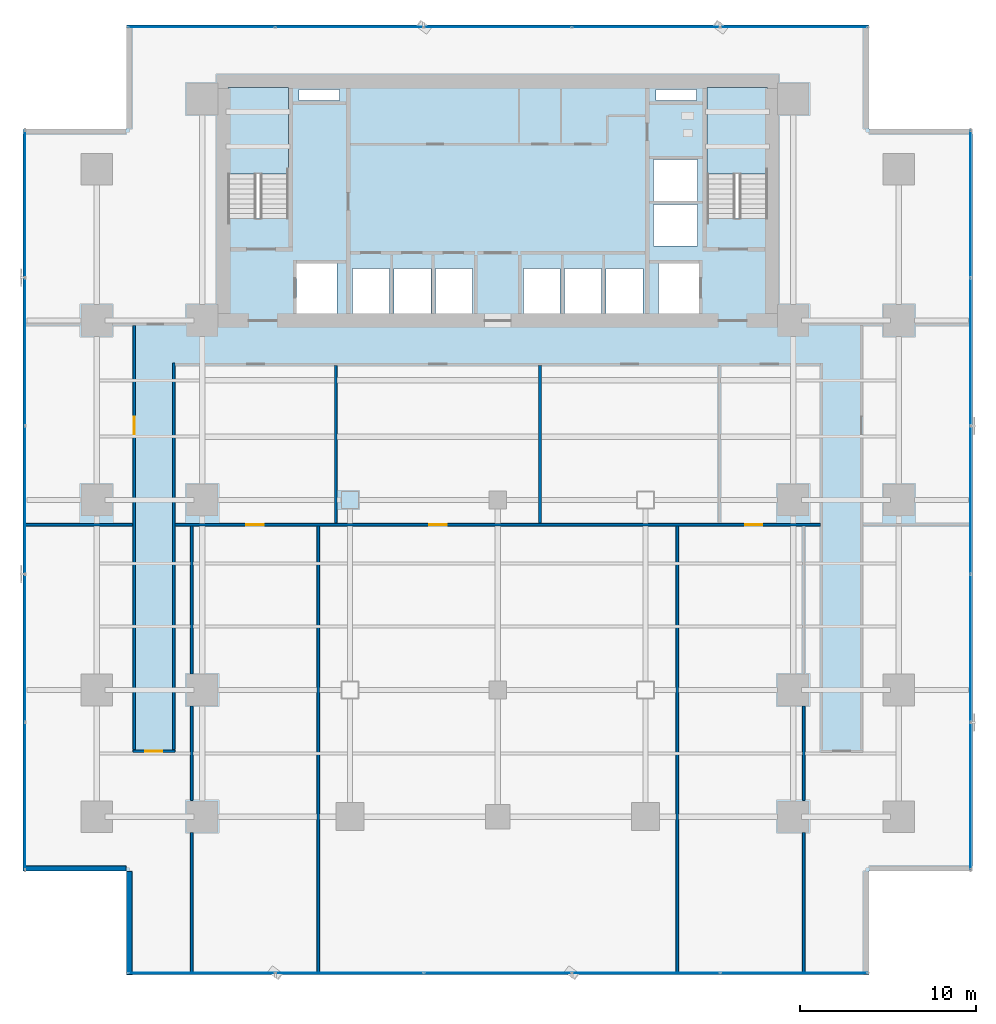
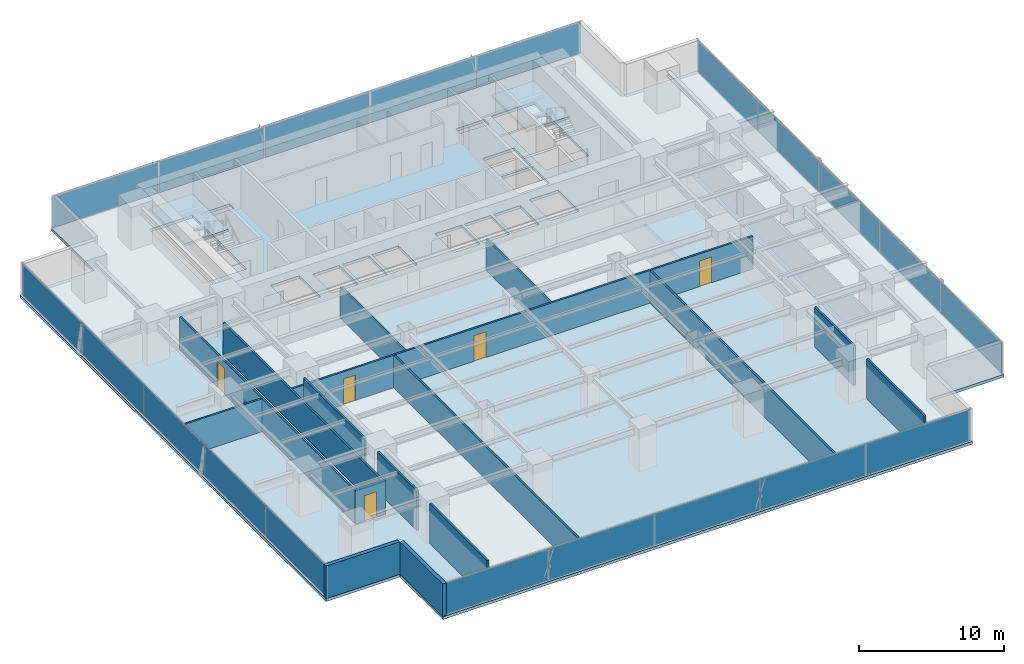
# One storey, part 23 of 32: 20 plates, 16 walls, 5 doors, 3 slabs, 5 openings, 6 elements without a shape of their own.
"""IFC4 building model written with IfcOpenShell, lengths in metres."""

from ifc_helpers import new_model, si_unit, direction, frame, frame_2d, origin, origin_2d, place, context, subcontext, project, spatial, polyline, rectangle, outline, extrude, source, transform, mapped, material, layer, layer_set, type_object, element, fill, aggregate, save


model = new_model("IFC4")

# Units and contexts
model_context = context("Model", 3, precision=1e-05, world=origin(), true_north=direction((0.0, 1.0)))
body_context = subcontext(model_context, "Body", "Model", "MODEL_VIEW")
ifc_project = project(units=[si_unit("LENGTHUNIT", "METRE"), si_unit("AREAUNIT", "SQUARE_METRE"), si_unit("VOLUMEUNIT", "CUBIC_METRE"), si_unit("PLANEANGLEUNIT", "RADIAN"), si_unit("MASSUNIT", "GRAM", prefix="KILO")], contexts=[model_context])

# Site, building, storey
site_placement = place(None, origin())
site = spatial("IfcSite", under=ifc_project, at=site_placement, CompositionType="ELEMENT")
building_placement = place(site_placement, origin())
building = spatial("IfcBuilding", under=site, at=building_placement, Name="Sumidabori Civic Tower", CompositionType="ELEMENT")
storey_placement = place(building_placement, frame((0.0, 0.0, 52.39990234375)))
storey = spatial("IfcBuildingStorey", under=building, at=storey_placement, Name="L13", CompositionType="ELEMENT", Elevation=52.39990234375)

# Stair, slab
ifc_material_1 = material(Name="Concrete C40/50", Category="concrete")
stair_type = type_object("IfcStairType", Name="ST-CORE-1600", PredefinedType="HALF_TURN_STAIR", material=ifc_material_1)
stair_1_placement = place(storey_placement, origin())
stair_1 = element("IfcStair", 1, at=stair_1_placement, inside=storey, type_object=stair_type, Name="L13 ST-1", PredefinedType="HALF_TURN_STAIR")
ifc_layer_1 = layer(ifc_material_1, 0.199951171875, Name="Concrete C40/50")
ifc_layer_set_1 = layer_set([ifc_layer_1], Name="Concrete C40/50")
slab_type_1 = type_object("IfcSlabType", Name="SL-LAND-200", PredefinedType="LANDING", material=ifc_layer_set_1)
slab_1_placement = place(storey_placement, frame((0.0, 0.0, 1.60009765625)))
slab_1 = element("IfcSlab", 2, at=slab_1_placement, type_object=slab_type_1, Name="ST-1 landing 1", PredefinedType="LANDING", context=body_context, shape_type="SweptSolid", body=[
    extrude(outline(polyline([(-11.89990234375, 18.52001953125), (-11.89990234375, 23.449951171875), (-15.340087890625, 23.449951171875), (-15.340087890625, 18.52001953125), (-11.89990234375, 18.52001953125)])), origin(), (0.0, 0.0, 1.0), 0.199951171875),
])
aggregate(stair_1, [slab_1])

stair_2_placement = place(storey_placement, origin())
stair_2 = element("IfcStair", 3, at=stair_2_placement, inside=storey, type_object=stair_type, Name="L13 ST-2", PredefinedType="HALF_TURN_STAIR")
slab_2_placement = place(storey_placement, frame((0.0, 0.0, 1.60009765625)))
slab_2 = element("IfcSlab", 4, at=slab_2_placement, type_object=slab_type_1, Name="ST-2 landing 1", PredefinedType="LANDING", context=body_context, shape_type="SweptSolid", body=[
    extrude(outline(polyline([(15.340087890625, 18.52001953125), (15.340087890625, 23.449951171875), (11.89990234375, 23.449951171875), (11.89990234375, 18.52001953125), (15.340087890625, 18.52001953125)])), origin(), (0.0, 0.0, 1.0), 0.199951171875),
])
aggregate(stair_2, [slab_2])

# Slab
ifc_layer_2 = layer(ifc_material_1, 0.239990234375, Name="Concrete C40/50")
ifc_layer_set_2 = layer_set([ifc_layer_2], Name="Concrete C40/50")
slab_type_2 = type_object("IfcSlabType", Name="SL-Z1-240", PredefinedType="FLOOR", material=ifc_layer_set_2)
slab_3_placement = place(storey_placement, frame((0.0, 0.0, -0.239990234375)))
element("IfcSlab", 5, at=slab_3_placement, inside=storey, type_object=slab_type_2, Name="Structural Slab L13", PredefinedType="FLOOR", context=body_context, shape_type="SweptSolid", body=[
    extrude(outline(polyline([(-21.10009765625, -27.0), (21.10009765625, -27.0), (21.10009765625, -21.10009765625), (27.0, -21.10009765625), (27.0, 21.10009765625), (21.10009765625, 21.10009765625), (21.10009765625, 27.0), (-21.10009765625, 27.0), (-21.10009765625, 21.10009765625), (-27.0, 21.10009765625), (-27.0, -21.10009765625), (-21.10009765625, -21.10009765625), (-21.10009765625, -27.0)]), holes=[polyline([(-11.89990234375, 16.0), (-11.89990234375, 23.449951171875), (-15.340087890625, 23.449951171875), (-15.340087890625, 16.0), (-11.89990234375, 16.0)]), polyline([(15.340087890625, 16.0), (15.340087890625, 23.449951171875), (11.89990234375, 23.449951171875), (11.89990234375, 16.0), (15.340087890625, 16.0)]), polyline([(-11.449951171875, 10.550048828125), (-9.14990234375, 10.550048828125), (-9.14990234375, 13.449951171875), (-11.449951171875, 13.449951171875), (-11.449951171875, 10.550048828125)]), polyline([(9.14990234375, 10.550048828125), (11.449951171875, 10.550048828125), (11.449951171875, 13.449951171875), (9.14990234375, 13.449951171875), (9.14990234375, 10.550048828125)]), polyline([(-8.25, 10.550048828125), (-6.14990234375, 10.550048828125), (-6.14990234375, 13.14990234375), (-8.25, 13.14990234375), (-8.25, 10.550048828125)]), polyline([(-5.89990234375, 10.550048828125), (-3.800048828125, 10.550048828125), (-3.800048828125, 13.14990234375), (-5.89990234375, 13.14990234375), (-5.89990234375, 10.550048828125)]), polyline([(-3.550048828125, 10.550048828125), (-1.449951171875, 10.550048828125), (-1.449951171875, 13.14990234375), (-3.550048828125, 13.14990234375), (-3.550048828125, 10.550048828125)]), polyline([(1.449951171875, 10.550048828125), (3.550048828125, 10.550048828125), (3.550048828125, 13.14990234375), (1.449951171875, 13.14990234375), (1.449951171875, 10.550048828125)]), polyline([(3.800048828125, 10.550048828125), (5.89990234375, 10.550048828125), (5.89990234375, 13.14990234375), (3.800048828125, 13.14990234375), (3.800048828125, 10.550048828125)]), polyline([(6.14990234375, 10.550048828125), (8.25, 10.550048828125), (8.25, 13.14990234375), (6.14990234375, 13.14990234375), (6.14990234375, 10.550048828125)]), polyline([(8.85009765625, 14.449951171875), (11.35009765625, 14.449951171875), (11.35009765625, 16.800048828125), (8.85009765625, 16.800048828125), (8.85009765625, 14.449951171875)]), polyline([(8.85009765625, 17.0), (11.35009765625, 17.0), (11.35009765625, 19.35009765625), (8.85009765625, 19.35009765625), (8.85009765625, 17.0)]), polyline([(-11.300048828125, 22.719970703125), (-9.0, 22.719970703125), (-9.0, 23.35009765625), (-11.300048828125, 23.35009765625), (-11.300048828125, 22.719970703125)]), polyline([(9.0, 22.719970703125), (11.300048828125, 22.719970703125), (11.300048828125, 23.35009765625), (9.0, 23.35009765625), (9.0, 22.719970703125)])]), origin(), (0.0, 0.0, 1.0), 0.239990234375),
])

# Curtain wall, plates
ifc_material_2 = material(Name="Anodised Bronze Aluminium AW-6063-T6", Category="aluminium")
ifc_layer_3 = layer(ifc_material_2, 0.179931640625, Name="Anodised Bronze Aluminium AW-6063-T6")
ifc_layer_set_3 = layer_set([ifc_layer_3], Name="Anodised Bronze Aluminium AW-6063-T6")
curtain_wall_type = type_object("IfcCurtainWallType", Name="CW-SYS-2", PredefinedType="NOTDEFINED", material=ifc_layer_set_3)
curtain_wall_1_placement = place(storey_placement, origin())
curtain_wall_1 = element("IfcCurtainWall", 6, at=curtain_wall_1_placement, inside=storey, type_object=curtain_wall_type, Name="Curtain Wall CW:L13:R01", PredefinedType="NOTDEFINED")
ifc_material_3 = material(Name="Low-E Solar-Control Vision Glazing", Category="glass")
ifc_layer_4 = layer(ifc_material_3, 0.028076171875, Name="Low-E Solar-Control Vision Glazing")
ifc_layer_set_4 = layer_set([ifc_layer_4], Name="Low-E Solar-Control Vision Glazing")
plate_type = type_object("IfcPlateType", Name="CW-PNL-28", PredefinedType="CURTAIN_PANEL", material=ifc_layer_set_4)
shared_shape_1 = source(origin(), body_context, "Body", "SweptSolid", [
    extrude(rectangle(XDim=8.322998046875, YDim=0.028076171875, at=origin_2d()), origin(), (0.0, 0.0, 1.0), 2.610107421875),
])
plate_1_placement = place(storey_placement, frame((-16.83837890625, -26.8798828125, 0.06494140625), z_axis=(0.0, 0.0, 1.0), x_axis=(1.0, 0.0, 0.0)))
plate_1 = element("IfcPlate", 7, at=plate_1_placement, type_object=plate_type, Name="CW-2 panel 1.1", PredefinedType="CURTAIN_PANEL", context=body_context, shape_type="MappedRepresentation", body=[
    mapped(shared_shape_1, transform((0.0, 0.0, 0.0), x_axis=(1.0, 0.0, 0.0), y_axis=(0.0, 1.0, 0.0), z_axis=(0.0, 0.0, 1.0), scale=1.0)),
])
plate_2_placement = place(storey_placement, frame((16.83837890625, -26.8798828125, 0.06494140625), z_axis=(0.0, 0.0, 1.0), x_axis=(1.0, 0.0, 0.0)))
plate_2 = element("IfcPlate", 8, at=plate_2_placement, type_object=plate_type, Name="CW-2 panel 5.1", PredefinedType="CURTAIN_PANEL", context=body_context, shape_type="MappedRepresentation", body=[
    mapped(shared_shape_1, transform((0.0, 0.0, 0.0), x_axis=(1.0, 0.0, 0.0), y_axis=(0.0, 1.0, 0.0), z_axis=(0.0, 0.0, 1.0), scale=1.0)),
])

curtain_wall_2_placement = place(storey_placement, origin())
curtain_wall_2 = element("IfcCurtainWall", 9, at=curtain_wall_2_placement, inside=storey, type_object=curtain_wall_type, Name="Curtain Wall CW:L13:R04", PredefinedType="NOTDEFINED")
plate_3_placement = place(storey_placement, frame((26.8798828125, -16.83837890625, 0.06494140625), z_axis=(0.0, 0.0, 1.0), x_axis=(0.0, 1.0, 0.0)))
plate_3 = element("IfcPlate", 10, at=plate_3_placement, type_object=plate_type, Name="CW-2 panel 1.1", PredefinedType="CURTAIN_PANEL", context=body_context, shape_type="MappedRepresentation", body=[
    mapped(shared_shape_1, transform((0.0, 0.0, 0.0), x_axis=(1.0, 0.0, 0.0), y_axis=(0.0, 1.0, 0.0), z_axis=(0.0, 0.0, 1.0), scale=1.0)),
])
plate_4_placement = place(storey_placement, frame((26.8798828125, 16.83837890625, 0.06494140625), z_axis=(0.0, 0.0, 1.0), x_axis=(0.0, 1.0, 0.0)))
plate_4 = element("IfcPlate", 11, at=plate_4_placement, type_object=plate_type, Name="CW-2 panel 5.1", PredefinedType="CURTAIN_PANEL", context=body_context, shape_type="MappedRepresentation", body=[
    mapped(shared_shape_1, transform((0.0, 0.0, 0.0), x_axis=(1.0, 0.0, 0.0), y_axis=(0.0, 1.0, 0.0), z_axis=(0.0, 0.0, 1.0), scale=1.0)),
])

curtain_wall_3_placement = place(storey_placement, origin())
curtain_wall_3 = element("IfcCurtainWall", 12, at=curtain_wall_3_placement, inside=storey, type_object=curtain_wall_type, Name="Curtain Wall CW:L13:R07", PredefinedType="NOTDEFINED")
plate_5_placement = place(storey_placement, frame((16.83837890625, 26.8798828125, 0.06494140625), z_axis=(0.0, 0.0, 1.0), x_axis=(-1.0, 0.0, 0.0)))
plate_5 = element("IfcPlate", 13, at=plate_5_placement, type_object=plate_type, Name="CW-2 panel 1.1", PredefinedType="CURTAIN_PANEL", context=body_context, shape_type="MappedRepresentation", body=[
    mapped(shared_shape_1, transform((0.0, 0.0, 0.0), x_axis=(1.0, 0.0, 0.0), y_axis=(0.0, 1.0, 0.0), z_axis=(0.0, 0.0, 1.0), scale=1.0)),
])
plate_6_placement = place(storey_placement, frame((-16.83837890625, 26.8798828125, 0.06494140625), z_axis=(0.0, 0.0, 1.0), x_axis=(-1.0, 0.0, 0.0)))
plate_6 = element("IfcPlate", 14, at=plate_6_placement, type_object=plate_type, Name="CW-2 panel 5.1", PredefinedType="CURTAIN_PANEL", context=body_context, shape_type="MappedRepresentation", body=[
    mapped(shared_shape_1, transform((0.0, 0.0, 0.0), x_axis=(1.0, 0.0, 0.0), y_axis=(0.0, 1.0, 0.0), z_axis=(0.0, 0.0, 1.0), scale=1.0)),
])

curtain_wall_4_placement = place(storey_placement, origin())
curtain_wall_4 = element("IfcCurtainWall", 15, at=curtain_wall_4_placement, inside=storey, type_object=curtain_wall_type, Name="Curtain Wall CW:L13:R10", PredefinedType="NOTDEFINED")
plate_7_placement = place(storey_placement, frame((-26.8798828125, 16.83837890625, 0.06494140625), z_axis=(0.0, 0.0, 1.0), x_axis=(0.0, -1.0, 0.0)))
plate_7 = element("IfcPlate", 16, at=plate_7_placement, type_object=plate_type, Name="CW-2 panel 1.1", PredefinedType="CURTAIN_PANEL", context=body_context, shape_type="MappedRepresentation", body=[
    mapped(shared_shape_1, transform((0.0, 0.0, 0.0), x_axis=(1.0, 0.0, 0.0), y_axis=(0.0, 1.0, 0.0), z_axis=(0.0, 0.0, 1.0), scale=1.0)),
])
plate_8_placement = place(storey_placement, frame((-26.8798828125, -16.83837890625, 0.06494140625), z_axis=(0.0, 0.0, 1.0), x_axis=(0.0, -1.0, 0.0)))
plate_8 = element("IfcPlate", 17, at=plate_8_placement, type_object=plate_type, Name="CW-2 panel 5.1", PredefinedType="CURTAIN_PANEL", context=body_context, shape_type="MappedRepresentation", body=[
    mapped(shared_shape_1, transform((0.0, 0.0, 0.0), x_axis=(1.0, 0.0, 0.0), y_axis=(0.0, 1.0, 0.0), z_axis=(0.0, 0.0, 1.0), scale=1.0)),
])

# Plate
shared_shape_2 = source(origin(), body_context, "Body", "SweptSolid", [
    extrude(rectangle(XDim=8.35791015625, YDim=0.028076171875, at=origin_2d()), origin(), (0.0, 0.0, 1.0), 2.610107421875),
])
plate_9_placement = place(storey_placement, frame((-8.427978515625, -26.8798828125, 0.06494140625), z_axis=(0.0, 0.0, 1.0), x_axis=(1.0, 0.0, 0.0)))
plate_9 = element("IfcPlate", 18, at=plate_9_placement, type_object=plate_type, Name="CW-2 panel 2.1", PredefinedType="CURTAIN_PANEL", context=body_context, shape_type="MappedRepresentation", body=[
    mapped(shared_shape_2, transform((0.0, 0.0, 0.0), x_axis=(1.0, 0.0, 0.0), y_axis=(0.0, 1.0, 0.0), z_axis=(0.0, 0.0, 1.0), scale=1.0)),
])

plate_10_placement = place(storey_placement, frame((0.0, -26.8798828125, 0.06494140625), z_axis=(0.0, 0.0, 1.0), x_axis=(1.0, 0.0, 0.0)))
plate_10 = element("IfcPlate", 19, at=plate_10_placement, type_object=plate_type, Name="CW-2 panel 3.1", PredefinedType="CURTAIN_PANEL", context=body_context, shape_type="MappedRepresentation", body=[
    mapped(shared_shape_2, transform((0.0, 0.0, 0.0), x_axis=(1.0, 0.0, 0.0), y_axis=(0.0, 1.0, 0.0), z_axis=(0.0, 0.0, 1.0), scale=1.0)),
])

plate_11_placement = place(storey_placement, frame((8.427978515625, -26.8798828125, 0.06494140625), z_axis=(0.0, 0.0, 1.0), x_axis=(1.0, 0.0, 0.0)))
plate_11 = element("IfcPlate", 20, at=plate_11_placement, type_object=plate_type, Name="CW-2 panel 4.1", PredefinedType="CURTAIN_PANEL", context=body_context, shape_type="MappedRepresentation", body=[
    mapped(shared_shape_2, transform((0.0, 0.0, 0.0), x_axis=(1.0, 0.0, 0.0), y_axis=(0.0, 1.0, 0.0), z_axis=(0.0, 0.0, 1.0), scale=1.0)),
])

aggregate(curtain_wall_1, [plate_1, plate_9, plate_10, plate_11, plate_2])

plate_12_placement = place(storey_placement, frame((26.8798828125, -8.427978515625, 0.06494140625), z_axis=(0.0, 0.0, 1.0), x_axis=(0.0, 1.0, 0.0)))
plate_12 = element("IfcPlate", 21, at=plate_12_placement, type_object=plate_type, Name="CW-2 panel 2.1", PredefinedType="CURTAIN_PANEL", context=body_context, shape_type="MappedRepresentation", body=[
    mapped(shared_shape_2, transform((0.0, 0.0, 0.0), x_axis=(1.0, 0.0, 0.0), y_axis=(0.0, 1.0, 0.0), z_axis=(0.0, 0.0, 1.0), scale=1.0)),
])

plate_13_placement = place(storey_placement, frame((26.8798828125, 0.0, 0.06494140625), z_axis=(0.0, 0.0, 1.0), x_axis=(0.0, 1.0, 0.0)))
plate_13 = element("IfcPlate", 22, at=plate_13_placement, type_object=plate_type, Name="CW-2 panel 3.1", PredefinedType="CURTAIN_PANEL", context=body_context, shape_type="MappedRepresentation", body=[
    mapped(shared_shape_2, transform((0.0, 0.0, 0.0), x_axis=(1.0, 0.0, 0.0), y_axis=(0.0, 1.0, 0.0), z_axis=(0.0, 0.0, 1.0), scale=1.0)),
])

plate_14_placement = place(storey_placement, frame((26.8798828125, 8.427978515625, 0.06494140625), z_axis=(0.0, 0.0, 1.0), x_axis=(0.0, 1.0, 0.0)))
plate_14 = element("IfcPlate", 23, at=plate_14_placement, type_object=plate_type, Name="CW-2 panel 4.1", PredefinedType="CURTAIN_PANEL", context=body_context, shape_type="MappedRepresentation", body=[
    mapped(shared_shape_2, transform((0.0, 0.0, 0.0), x_axis=(1.0, 0.0, 0.0), y_axis=(0.0, 1.0, 0.0), z_axis=(0.0, 0.0, 1.0), scale=1.0)),
])

aggregate(curtain_wall_2, [plate_3, plate_12, plate_13, plate_14, plate_4])

plate_15_placement = place(storey_placement, frame((8.427978515625, 26.8798828125, 0.06494140625), z_axis=(0.0, 0.0, 1.0), x_axis=(-1.0, 0.0, 0.0)))
plate_15 = element("IfcPlate", 24, at=plate_15_placement, type_object=plate_type, Name="CW-2 panel 2.1", PredefinedType="CURTAIN_PANEL", context=body_context, shape_type="MappedRepresentation", body=[
    mapped(shared_shape_2, transform((0.0, 0.0, 0.0), x_axis=(1.0, 0.0, 0.0), y_axis=(0.0, 1.0, 0.0), z_axis=(0.0, 0.0, 1.0), scale=1.0)),
])

plate_16_placement = place(storey_placement, frame((0.0, 26.8798828125, 0.06494140625), z_axis=(0.0, 0.0, 1.0), x_axis=(-1.0, 0.0, 0.0)))
plate_16 = element("IfcPlate", 25, at=plate_16_placement, type_object=plate_type, Name="CW-2 panel 3.1", PredefinedType="CURTAIN_PANEL", context=body_context, shape_type="MappedRepresentation", body=[
    mapped(shared_shape_2, transform((0.0, 0.0, 0.0), x_axis=(1.0, 0.0, 0.0), y_axis=(0.0, 1.0, 0.0), z_axis=(0.0, 0.0, 1.0), scale=1.0)),
])

plate_17_placement = place(storey_placement, frame((-8.427978515625, 26.8798828125, 0.06494140625), z_axis=(0.0, 0.0, 1.0), x_axis=(-1.0, 0.0, 0.0)))
plate_17 = element("IfcPlate", 26, at=plate_17_placement, type_object=plate_type, Name="CW-2 panel 4.1", PredefinedType="CURTAIN_PANEL", context=body_context, shape_type="MappedRepresentation", body=[
    mapped(shared_shape_2, transform((0.0, 0.0, 0.0), x_axis=(1.0, 0.0, 0.0), y_axis=(0.0, 1.0, 0.0), z_axis=(0.0, 0.0, 1.0), scale=1.0)),
])

aggregate(curtain_wall_3, [plate_5, plate_15, plate_16, plate_17, plate_6])

plate_18_placement = place(storey_placement, frame((-26.8798828125, 8.427978515625, 0.06494140625), z_axis=(0.0, 0.0, 1.0), x_axis=(0.0, -1.0, 0.0)))
plate_18 = element("IfcPlate", 27, at=plate_18_placement, type_object=plate_type, Name="CW-2 panel 2.1", PredefinedType="CURTAIN_PANEL", context=body_context, shape_type="MappedRepresentation", body=[
    mapped(shared_shape_2, transform((0.0, 0.0, 0.0), x_axis=(1.0, 0.0, 0.0), y_axis=(0.0, 1.0, 0.0), z_axis=(0.0, 0.0, 1.0), scale=1.0)),
])

plate_19_placement = place(storey_placement, frame((-26.8798828125, 0.0, 0.06494140625), z_axis=(0.0, 0.0, 1.0), x_axis=(0.0, -1.0, 0.0)))
plate_19 = element("IfcPlate", 28, at=plate_19_placement, type_object=plate_type, Name="CW-2 panel 3.1", PredefinedType="CURTAIN_PANEL", context=body_context, shape_type="MappedRepresentation", body=[
    mapped(shared_shape_2, transform((0.0, 0.0, 0.0), x_axis=(1.0, 0.0, 0.0), y_axis=(0.0, 1.0, 0.0), z_axis=(0.0, 0.0, 1.0), scale=1.0)),
])

plate_20_placement = place(storey_placement, frame((-26.8798828125, -8.427978515625, 0.06494140625), z_axis=(0.0, 0.0, 1.0), x_axis=(0.0, -1.0, 0.0)))
plate_20 = element("IfcPlate", 29, at=plate_20_placement, type_object=plate_type, Name="CW-2 panel 4.1", PredefinedType="CURTAIN_PANEL", context=body_context, shape_type="MappedRepresentation", body=[
    mapped(shared_shape_2, transform((0.0, 0.0, 0.0), x_axis=(1.0, 0.0, 0.0), y_axis=(0.0, 1.0, 0.0), z_axis=(0.0, 0.0, 1.0), scale=1.0)),
])

aggregate(curtain_wall_4, [plate_7, plate_18, plate_19, plate_20, plate_8])

# Walls
ifc_material_4 = material(Name="Precast concrete C40/50", Category="concrete")
ifc_layer_5 = layer(ifc_material_4, 0.300048828125, Name="Precast concrete C40/50")
ifc_layer_set_5 = layer_set([ifc_layer_5], Name="Precast concrete C40/50")
wall_type_1 = type_object("IfcWallType", Name="WL-EXT-POD300", PredefinedType="STANDARD", material=ifc_layer_set_5)
shared_shape_3 = source(origin(), body_context, "Body", "SweptSolid", [
    extrude(rectangle(XDim=5.85986328125, YDim=0.300048828125, at=frame_2d((2.929931640625, 0.0))), origin(), (0.0, 0.0, 1.0), 2.739990234375),
])
for number, where, z_axis, x_axis, name in (
    (30, (-26.97998046875, -20.949951171875, 0.0), (0.0, 0.0, 1.0), (1.0, 0.0, 0.0), "Notched Corner Spandrel Band L13-11"),
    (31, (-20.949951171875, -21.1201171875, 0.0), (0.0, 0.0, 1.0), (0.0, -1.0, 0.0), "Notched Corner Spandrel Band L13-12"),
):
    element("IfcWall", number, at=place(storey_placement, frame(where, z_axis=z_axis, x_axis=x_axis)), inside=storey, type_object=wall_type_1, Name=name, PredefinedType="STANDARD", context=body_context, shape_type="MappedRepresentation", body=[
        mapped(shared_shape_3, transform((0.0, 0.0, 0.0), x_axis=(1.0, 0.0, 0.0), y_axis=(0.0, 1.0, 0.0), z_axis=(0.0, 0.0, 1.0), scale=1.0)),
    ])

# Wall, opening, door
ifc_material_5 = material(Name="Gypsum Plasterboard Acoustic Partition")
ifc_layer_6 = layer(ifc_material_5, 0.14990234375, Name="Gypsum Plasterboard Acoustic Partition")
ifc_layer_set_6 = layer_set([ifc_layer_6], Name="Gypsum Plasterboard Acoustic Partition")
wall_type_2 = type_object("IfcWallType", Name="WL-PART-150", PredefinedType="PARTITIONING", material=ifc_layer_set_6)
shared_shape_4 = source(origin(), body_context, "Body", "SweptSolid", [
    extrude(rectangle(XDim=24.114990234375, YDim=0.14990234375, at=frame_2d((12.0576171875, 0.0))), origin(), (0.0, 0.0, 1.0), 2.7451171875),
])
wall_1_placement = place(storey_placement, frame((-20.675048828125, -14.195068359375, 0.0), z_axis=(0.0, 0.0, 1.0), x_axis=(0.0, 1.0, 0.0)))
wall_1 = element("IfcWall", 32, at=wall_1_placement, inside=storey, type_object=wall_type_2, Name="Interior Partition WL:L13:CORR-VW-OUT", PredefinedType="PARTITIONING", context=body_context, shape_type="MappedRepresentation", body=[
    mapped(shared_shape_4, transform((0.0, 0.0, 0.0), x_axis=(1.0, 0.0, 0.0), y_axis=(0.0, 1.0, 0.0), z_axis=(0.0, 0.0, 1.0), scale=1.0)),
])
opening_1_placement = place(wall_1_placement, frame((17.9423828125, 0.0, 0.0)))
opening_1 = element("IfcOpeningElement", 33, at=opening_1_placement, cuts=wall_1, Name="Opening DR-3", PredefinedType="OPENING", context=body_context, shape_type="SweptSolid", body=[
    extrude(rectangle(XDim=0.97998046875, YDim=2.14990234375, at=frame_2d((0.489990234375, 1.074951171875))), frame((0.0, 0.0869140625, 0.0), z_axis=(0.0, -1.0, 0.0), x_axis=(1.0, 0.0, 0.0)), (0.0, 0.0, 1.0), 0.173828125),
])
ifc_material_6 = material(Name="Japanese Hinoki Timber", Category="wood")
door_type = type_object("IfcDoorType", Name="DR-INT-980", OperationType="NOTDEFINED", PredefinedType="DOOR", material=ifc_material_6)
shared_shape_5 = source(origin(), body_context, "Body", "SweptSolid", [
    extrude(rectangle(XDim=0.97998046875, YDim=2.14990234375, at=frame_2d((0.489990234375, 1.074951171875))), frame((0.0, 0.02490234375, 0.0), z_axis=(0.0, -1.0, 0.0), x_axis=(1.0, 0.0, 0.0)), (0.0, 0.0, 1.0), 0.050048828125),
])
door_1_placement = place(opening_1_placement, origin())
door_1 = element("IfcDoor", 34, at=door_1_placement, inside=storey, type_object=door_type, Name="Door DR:L13:D02", OperationType="SINGLE_SWING_RIGHT", OverallHeight=2.14990234375, OverallWidth=0.97998046875, PredefinedType="DOOR", context=body_context, shape_type="MappedRepresentation", body=[
    mapped(shared_shape_5, transform((0.0, 0.0, 0.0), x_axis=(1.0, 0.0, 0.0), y_axis=(0.0, 1.0, 0.0), z_axis=(0.0, 0.0, 1.0), scale=1.0)),
])
fill(opening_1, door_1)

# Walls
shared_shape_6 = source(origin(), body_context, "Body", "SweptSolid", [
    extrude(rectangle(XDim=21.9951171875, YDim=0.14990234375, at=frame_2d((10.99755859375, 0.0))), origin(), (0.0, 0.0, 1.0), 2.7451171875),
])
wall_2_placement = place(storey_placement, frame((-18.425048828125, -14.195068359375, 0.0), z_axis=(0.0, 0.0, 1.0), x_axis=(0.0, 1.0, 0.0)))
element("IfcWall", 35, at=wall_2_placement, inside=storey, type_object=wall_type_2, Name="Interior Partition WL:L13:CORR-VW-IN", PredefinedType="PARTITIONING", context=body_context, shape_type="MappedRepresentation", body=[
    mapped(shared_shape_6, transform((0.0, 0.0, 0.0), x_axis=(1.0, 0.0, 0.0), y_axis=(0.0, 1.0, 0.0), z_axis=(0.0, 0.0, 1.0), scale=1.0)),
])
shared_shape_7 = source(origin(), body_context, "Body", "SweptSolid", [
    extrude(rectangle(XDim=6.09521484375, YDim=0.14990234375, at=frame_2d((3.047607421875, 0.0))), origin(), (0.0, 0.0, 1.0), 2.7451171875),
])
wall_3_placement = place(storey_placement, frame((-26.85009765625, -1.39990234375, 0.0), z_axis=(0.0, 0.0, 1.0), x_axis=(1.0, 0.0, 0.0)))
element("IfcWall", 36, at=wall_3_placement, inside=storey, type_object=wall_type_2, Name="Interior Partition WL:L13:BAND-Y-1", PredefinedType="PARTITIONING", context=body_context, shape_type="MappedRepresentation", body=[
    mapped(shared_shape_7, transform((0.0, 0.0, 0.0), x_axis=(1.0, 0.0, 0.0), y_axis=(0.0, 1.0, 0.0), z_axis=(0.0, 0.0, 1.0), scale=1.0)),
])

# Wall, openings, doors
shared_shape_8 = source(origin(), body_context, "Body", "SweptSolid", [
    extrude(rectangle(XDim=36.68994140625, YDim=0.14990234375, at=frame_2d((18.344970703125, 0.0))), origin(), (0.0, 0.0, 1.0), 2.7451171875),
])
wall_4_placement = place(storey_placement, frame((-18.344970703125, -1.39990234375, 0.0), z_axis=(0.0, 0.0, 1.0), x_axis=(1.0, 0.0, 0.0)))
wall_4 = element("IfcWall", 37, at=wall_4_placement, inside=storey, type_object=wall_type_2, Name="Interior Partition WL:L13:BAND-Y-2", PredefinedType="PARTITIONING", context=body_context, shape_type="MappedRepresentation", body=[
    mapped(shared_shape_8, transform((0.0, 0.0, 0.0), x_axis=(1.0, 0.0, 0.0), y_axis=(0.0, 1.0, 0.0), z_axis=(0.0, 0.0, 1.0), scale=1.0)),
])
opening_2_placement = place(wall_4_placement, frame((14.455078125, 0.0, 0.0)))
opening_2 = element("IfcOpeningElement", 38, at=opening_2_placement, cuts=wall_4, Name="Opening DR-3", PredefinedType="OPENING", context=body_context, shape_type="SweptSolid", body=[
    extrude(rectangle(XDim=0.97998046875, YDim=2.14990234375, at=frame_2d((0.489990234375, 1.074951171875))), frame((0.0, 0.0869140625, 0.0), z_axis=(0.0, -1.0, 0.0), x_axis=(1.0, 0.0, 0.0)), (0.0, 0.0, 1.0), 0.173828125),
])
opening_3_placement = place(wall_4_placement, frame((4.054931640625, 0.0, 0.0)))
opening_3 = element("IfcOpeningElement", 39, at=opening_3_placement, cuts=wall_4, Name="Opening DR-3", PredefinedType="OPENING", context=body_context, shape_type="SweptSolid", body=[
    extrude(rectangle(XDim=0.97998046875, YDim=2.14990234375, at=frame_2d((0.489990234375, 1.074951171875))), frame((0.0, 0.0869140625, 0.0), z_axis=(0.0, -1.0, 0.0), x_axis=(1.0, 0.0, 0.0)), (0.0, 0.0, 1.0), 0.173828125),
])
opening_4_placement = place(wall_4_placement, frame((32.4150390625, 0.0, 0.0)))
opening_4 = element("IfcOpeningElement", 40, at=opening_4_placement, cuts=wall_4, Name="Opening DR-3", PredefinedType="OPENING", context=body_context, shape_type="SweptSolid", body=[
    extrude(rectangle(XDim=0.97998046875, YDim=2.14990234375, at=frame_2d((0.489990234375, 1.074951171875))), frame((0.0, 0.0869140625, 0.0), z_axis=(0.0, -1.0, 0.0), x_axis=(1.0, 0.0, 0.0)), (0.0, 0.0, 1.0), 0.173828125),
])
door_2_placement = place(opening_2_placement, origin())
door_2 = element("IfcDoor", 41, at=door_2_placement, inside=storey, type_object=door_type, Name="Door DR:L13:D10", OperationType="SINGLE_SWING_RIGHT", OverallHeight=2.14990234375, OverallWidth=0.97998046875, PredefinedType="DOOR", context=body_context, shape_type="MappedRepresentation", body=[
    mapped(shared_shape_5, transform((0.0, 0.0, 0.0), x_axis=(1.0, 0.0, 0.0), y_axis=(0.0, 1.0, 0.0), z_axis=(0.0, 0.0, 1.0), scale=1.0)),
])
fill(opening_2, door_2)
door_3_placement = place(opening_3_placement, origin())
door_3 = element("IfcDoor", 42, at=door_3_placement, inside=storey, type_object=door_type, Name="Door DR:L13:D11", OperationType="SINGLE_SWING_LEFT", OverallHeight=2.14990234375, OverallWidth=0.97998046875, PredefinedType="DOOR", context=body_context, shape_type="MappedRepresentation", body=[
    mapped(shared_shape_5, transform((0.0, 0.0, 0.0), x_axis=(1.0, 0.0, 0.0), y_axis=(0.0, 1.0, 0.0), z_axis=(0.0, 0.0, 1.0), scale=1.0)),
])
fill(opening_3, door_3)
door_4_placement = place(opening_4_placement, origin())
door_4 = element("IfcDoor", 43, at=door_4_placement, inside=storey, type_object=door_type, Name="Door DR:L13:D12", OperationType="SINGLE_SWING_RIGHT", OverallHeight=2.14990234375, OverallWidth=0.97998046875, PredefinedType="DOOR", context=body_context, shape_type="MappedRepresentation", body=[
    mapped(shared_shape_5, transform((0.0, 0.0, 0.0), x_axis=(1.0, 0.0, 0.0), y_axis=(0.0, 1.0, 0.0), z_axis=(0.0, 0.0, 1.0), scale=1.0)),
])
fill(opening_4, door_4)

# Walls
shared_shape_9 = source(origin(), body_context, "Body", "SweptSolid", [
    extrude(rectangle(XDim=8.965087890625, YDim=0.14990234375, at=frame_2d((4.482421875, 0.0))), origin(), (0.0, 0.0, 1.0), 2.64501953125),
])
for number, where, z_axis, x_axis, name in (
    (44, (-9.199951171875, -1.320068359375, 0.0), (0.0, 0.0, 1.0), (0.0, 1.0, 0.0), "Interior Partition WL:L13:VX-N2"),
    (45, (2.39990234375, -1.320068359375, 0.0), (0.0, 0.0, 1.0), (0.0, 1.0, 0.0), "Interior Partition WL:L13:VX-N3"),
):
    element("IfcWall", number, at=place(storey_placement, frame(where, z_axis=z_axis, x_axis=x_axis)), inside=storey, type_object=wall_type_2, Name=name, PredefinedType="PARTITIONING", context=body_context, shape_type="MappedRepresentation", body=[
        mapped(shared_shape_9, transform((0.0, 0.0, 0.0), x_axis=(1.0, 0.0, 0.0), y_axis=(0.0, 1.0, 0.0), z_axis=(0.0, 0.0, 1.0), scale=1.0)),
    ])
shared_shape_10 = source(origin(), body_context, "Body", "SweptSolid", [
    extrude(rectangle(XDim=7.940185546875, YDim=0.14990234375, at=frame_2d((3.97021484375, 0.0))), origin(), (0.0, 0.0, 1.0), 3.360107421875),
])
for number, where, z_axis, x_axis, name in (
    (46, (-17.39990234375, -26.85009765625, 0.0), (0.0, 0.0, 1.0), (0.0, 1.0, 0.0), "Interior Partition WL:L13:VX-S1-1"),
    (47, (17.39990234375, -26.85009765625, 0.0), (0.0, 0.0, 1.0), (0.0, 1.0, 0.0), "Interior Partition WL:L13:VX-S4-1"),
):
    element("IfcWall", number, at=place(storey_placement, frame(where, z_axis=z_axis, x_axis=x_axis)), inside=storey, type_object=wall_type_2, Name=name, PredefinedType="PARTITIONING", context=body_context, shape_type="MappedRepresentation", body=[
        mapped(shared_shape_10, transform((0.0, 0.0, 0.0), x_axis=(1.0, 0.0, 0.0), y_axis=(0.0, 1.0, 0.0), z_axis=(0.0, 0.0, 1.0), scale=1.0)),
    ])
shared_shape_11 = source(origin(), body_context, "Body", "SweptSolid", [
    extrude(rectangle(XDim=5.380126953125, YDim=0.14990234375, at=frame_2d((2.68994140625, 0.0))), origin(), (0.0, 0.0, 1.0), 3.360107421875),
])
for number, where, z_axis, x_axis, name in (
    (48, (-17.39990234375, -17.090087890625, 0.0), (0.0, 0.0, 1.0), (0.0, 1.0, 0.0), "Interior Partition WL:L13:VX-S1-2"),
    (49, (17.39990234375, -17.090087890625, 0.0), (0.0, 0.0, 1.0), (0.0, 1.0, 0.0), "Interior Partition WL:L13:VX-S4-2"),
):
    element("IfcWall", number, at=place(storey_placement, frame(where, z_axis=z_axis, x_axis=x_axis)), inside=storey, type_object=wall_type_2, Name=name, PredefinedType="PARTITIONING", context=body_context, shape_type="MappedRepresentation", body=[
        mapped(shared_shape_11, transform((0.0, 0.0, 0.0), x_axis=(1.0, 0.0, 0.0), y_axis=(0.0, 1.0, 0.0), z_axis=(0.0, 0.0, 1.0), scale=1.0)),
    ])
shared_shape_12 = source(origin(), body_context, "Body", "SweptSolid", [
    extrude(rectangle(XDim=8.409912109375, YDim=0.14990234375, at=frame_2d((4.205078125, 0.0))), origin(), (0.0, 0.0, 1.0), 3.360107421875),
])
wall_5_placement = place(storey_placement, frame((-17.39990234375, -9.889892578125, 0.0), z_axis=(0.0, 0.0, 1.0), x_axis=(0.0, 1.0, 0.0)))
element("IfcWall", 50, at=wall_5_placement, inside=storey, type_object=wall_type_2, Name="Interior Partition WL:L13:VX-S1-3", PredefinedType="PARTITIONING", context=body_context, shape_type="MappedRepresentation", body=[
    mapped(shared_shape_12, transform((0.0, 0.0, 0.0), x_axis=(1.0, 0.0, 0.0), y_axis=(0.0, 1.0, 0.0), z_axis=(0.0, 0.0, 1.0), scale=1.0)),
])
shared_shape_13 = source(origin(), body_context, "Body", "SweptSolid", [
    extrude(rectangle(XDim=25.3701171875, YDim=0.14990234375, at=frame_2d((12.68505859375, 0.0))), origin(), (0.0, 0.0, 1.0), 2.7451171875),
])
for number, where, z_axis, x_axis, name in (
    (51, (-10.199951171875, -26.85009765625, 0.0), (0.0, 0.0, 1.0), (0.0, 1.0, 0.0), "Interior Partition WL:L13:VX-S2"),
    (52, (10.199951171875, -26.85009765625, 0.0), (0.0, 0.0, 1.0), (0.0, 1.0, 0.0), "Interior Partition WL:L13:VX-S3"),
):
    element("IfcWall", number, at=place(storey_placement, frame(where, z_axis=z_axis, x_axis=x_axis)), inside=storey, type_object=wall_type_2, Name=name, PredefinedType="PARTITIONING", context=body_context, shape_type="MappedRepresentation", body=[
        mapped(shared_shape_13, transform((0.0, 0.0, 0.0), x_axis=(1.0, 0.0, 0.0), y_axis=(0.0, 1.0, 0.0), z_axis=(0.0, 0.0, 1.0), scale=1.0)),
    ])

# Wall, opening, door
shared_shape_14 = source(origin(), body_context, "Body", "SweptSolid", [
    extrude(rectangle(XDim=2.39990234375, YDim=0.14990234375, at=frame_2d((1.199951171875, 0.0))), origin(), (0.0, 0.0, 1.0), 2.985107421875),
])
wall_6_placement = place(storey_placement, frame((-20.75, -14.27490234375, 0.0), z_axis=(0.0, 0.0, 1.0), x_axis=(1.0, 0.0, 0.0)))
wall_6 = element("IfcWall", 53, at=wall_6_placement, inside=storey, type_object=wall_type_2, Name="Interior Partition WL:L13:CORR-CAP-W", PredefinedType="PARTITIONING", context=body_context, shape_type="MappedRepresentation", body=[
    mapped(shared_shape_14, transform((0.0, 0.0, 0.0), x_axis=(1.0, 0.0, 0.0), y_axis=(0.0, 1.0, 0.0), z_axis=(0.0, 0.0, 1.0), scale=1.0)),
])
opening_5_placement = place(wall_6_placement, frame((0.7099609375, 0.0, 0.0)))
opening_5 = element("IfcOpeningElement", 54, at=opening_5_placement, cuts=wall_6, Name="Opening DR-3", PredefinedType="OPENING", context=body_context, shape_type="SweptSolid", body=[
    extrude(rectangle(XDim=0.97998046875, YDim=2.14990234375, at=frame_2d((0.489990234375, 1.074951171875))), frame((0.0, 0.0869140625, 0.0), z_axis=(0.0, -1.0, 0.0), x_axis=(1.0, 0.0, 0.0)), (0.0, 0.0, 1.0), 0.173828125),
])
door_5_placement = place(opening_5_placement, origin())
door_5 = element("IfcDoor", 55, at=door_5_placement, inside=storey, type_object=door_type, Name="Door DR:L13:D08", OperationType="SINGLE_SWING_RIGHT", OverallHeight=2.14990234375, OverallWidth=0.97998046875, PredefinedType="DOOR", context=body_context, shape_type="MappedRepresentation", body=[
    mapped(shared_shape_5, transform((0.0, 0.0, 0.0), x_axis=(1.0, 0.0, 0.0), y_axis=(0.0, 1.0, 0.0), z_axis=(0.0, 0.0, 1.0), scale=1.0)),
])
fill(opening_5, door_5)

save(model, "model.ifc")
